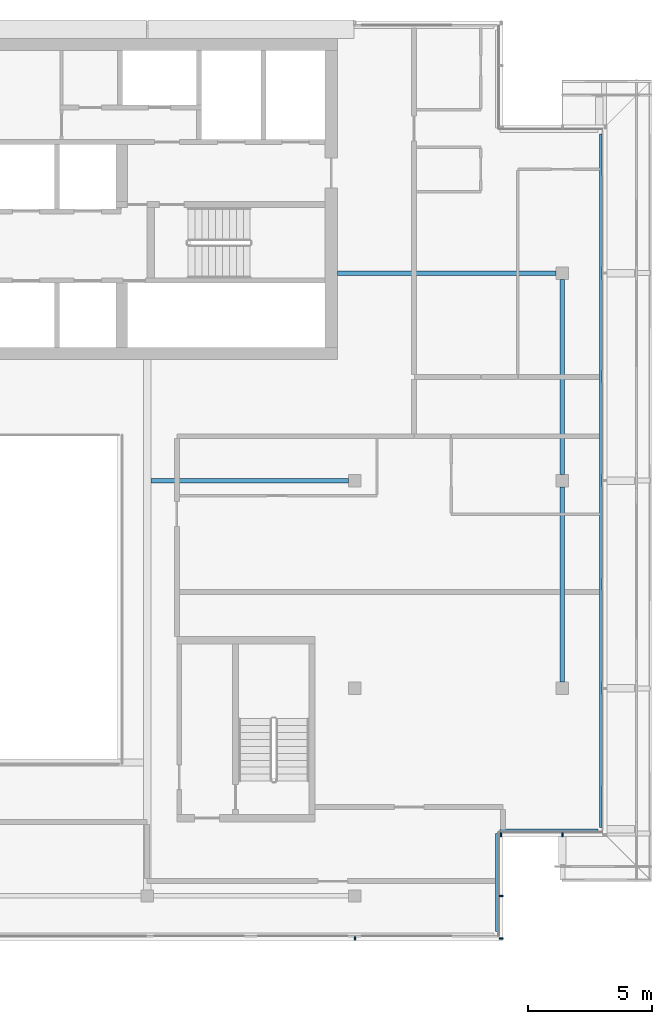
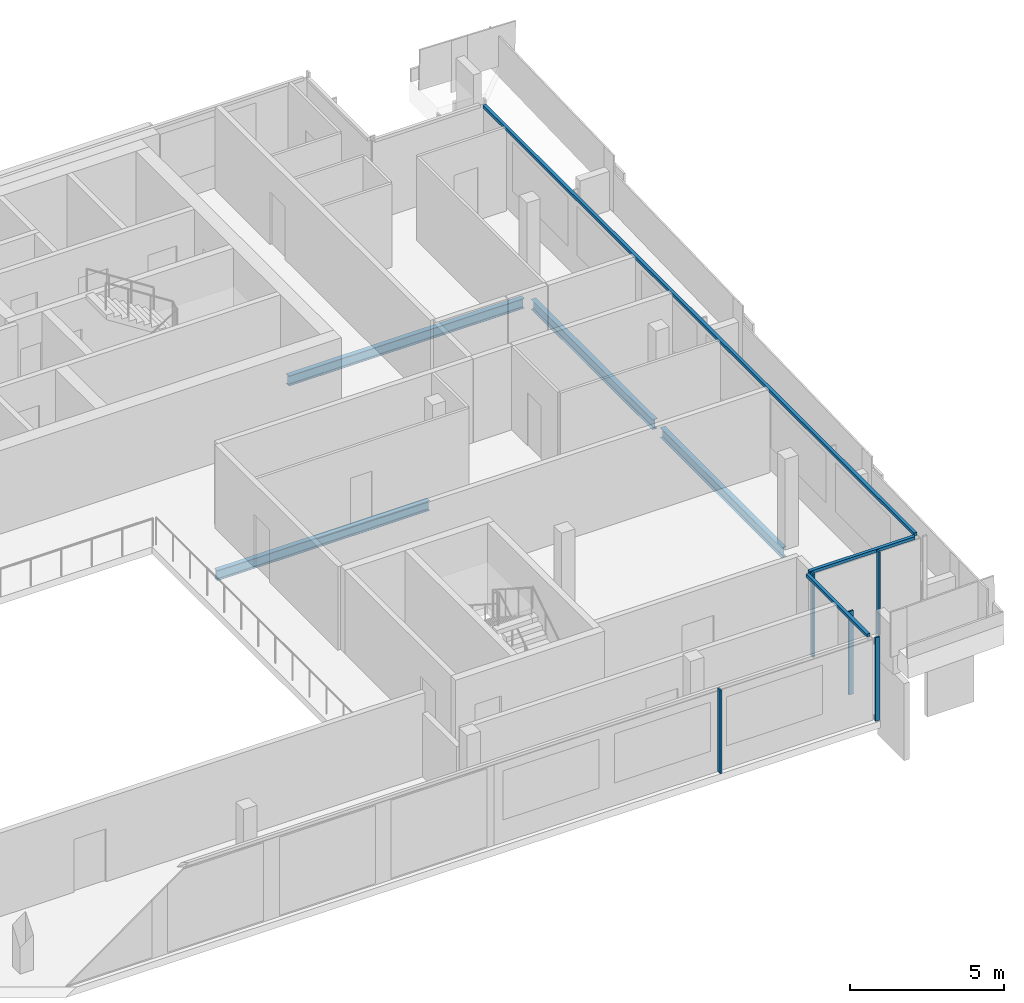
# One storey, part 5 of 19: 8 members, 4 beams, 4 elements without a shape of their own.
"""IFC4 building model written with IfcOpenShell, lengths in metres."""

import ifcopenshell
import ifcopenshell.guid

model = None  # the IFC model being written
_history = None  # IfcOwnerHistory: only IFC2X3 demands one
_inside = {}  # id of a spatial element -> (the spatial element, [elements in it])
_under = {}  # id of a project, library or spatial element -> (it, [spatial elements below it])
_declared = {}  # id of a project -> (the project, [libraries it declares])
_typed = {}  # id of a type object -> (the type object, [elements of that type])
_made_of = {}  # id of a material, layer set ... -> (it, [elements and type objects made of it])


def new_model(schema):
    """Start an empty IFC model of exactly this schema.

    Asked for "IFC4X3", IfcOpenShell would pick the latest addendum, in which some entities
    have other attributes; the version numbers below select the first issue.
    IFC2X3 requires an IfcOwnerHistory on every rooted entity: one is made here for all.
    """
    global model, _history
    if schema == "IFC4X3":
        model = ifcopenshell.file(schema_version=(4, 3, 0, 0))
    else:
        model = ifcopenshell.file(schema=schema)
    _inside.clear()
    _under.clear()
    _declared.clear()
    _typed.clear()
    _made_of.clear()
    _history = None
    if model.schema == "IFC2X3":
        org = make("IfcOrganization", Name="unknown")
        user = make(
            "IfcPersonAndOrganization",
            ThePerson=make("IfcPerson", FamilyName="unknown"),
            TheOrganization=org,
        )
        app = make(
            "IfcApplication",
            ApplicationDeveloper=org,
            Version="unknown",
            ApplicationFullName="unknown",
            ApplicationIdentifier="unknown",
        )
        _history = make(
            "IfcOwnerHistory",
            OwningUser=user,
            OwningApplication=app,
            ChangeAction="ADDED",
            CreationDate=0,
        )
    return model


def make(cls, **values):
    """One entity of the class cls with the attributes given. An attribute that is None is left unset."""
    return model.create_entity(
        cls, **{name: value for name, value in values.items() if value is not None}
    )


def rooted(cls, **values):
    """An entity with a GlobalId (a new one), such as an element, a storey or a relation."""
    return make(cls, GlobalId=ifcopenshell.guid.new(), OwnerHistory=_history, **values)


def si_unit(unit_type, name, prefix=None):
    """IfcSIUnit, for example si_unit("LENGTHUNIT", "METRE", prefix="MILLI")."""
    return make("IfcSIUnit", UnitType=unit_type, Prefix=prefix, Name=name)


def assignment(units):
    """IfcUnitAssignment: the units of a project."""
    return None if units is None else make("IfcUnitAssignment", Units=units)


def point(xyz):
    """IfcCartesianPoint."""
    return None if xyz is None else make("IfcCartesianPoint", Coordinates=xyz)


def direction(xyz):
    """IfcDirection."""
    return None if xyz is None else make("IfcDirection", DirectionRatios=xyz)


def frame(location, z_axis=None, x_axis=None):
    """IfcAxis2Placement3D, a coordinate frame: its origin and axes. An axis left out is left unset."""
    return make(
        "IfcAxis2Placement3D",
        Location=point(location),
        Axis=direction(z_axis),
        RefDirection=direction(x_axis),
    )


def frame_2d(location, x_axis=None):
    """IfcAxis2Placement2D, a coordinate frame in the plane: its origin and x axis."""
    return make(
        "IfcAxis2Placement2D", Location=point(location), RefDirection=direction(x_axis)
    )


def origin():
    """The frame at (0, 0, 0) with its axes left unset."""
    return frame((0.0, 0.0, 0.0))


def origin_2d():
    """The frame at (0, 0) in the plane with its x axis left unset."""
    return frame_2d((0.0, 0.0))


def place(relative_to, where):
    """IfcLocalPlacement: puts the frame where relative to a parent placement (None: the world)."""
    return make(
        "IfcLocalPlacement", PlacementRelTo=relative_to, RelativePlacement=where
    )


def context(
    kind, dimensions, precision=None, world=None, true_north=None, identifier=None
):
    """IfcGeometricRepresentationContext, for example the 3D "Model" context."""
    return make(
        "IfcGeometricRepresentationContext",
        ContextIdentifier=identifier,
        ContextType=kind,
        CoordinateSpaceDimension=dimensions,
        Precision=precision,
        WorldCoordinateSystem=world,
        TrueNorth=true_north,
    )


def subcontext(parent, identifier, kind, view, scale=None):
    """IfcGeometricRepresentationSubContext, for example "Body" below "Model"."""
    return make(
        "IfcGeometricRepresentationSubContext",
        ContextIdentifier=identifier,
        ContextType=kind,
        ParentContext=parent,
        TargetScale=scale,
        TargetView=view,
    )


def project(units=None, contexts=None):
    """IfcProject with its units and contexts."""
    return rooted(
        "IfcProject",
        Name="project",
        RepresentationContexts=contexts,
        UnitsInContext=assignment(units),
    )


def spatial(cls, under=None, at=None, **own):
    """A site, building, storey or space (cls), placed at a placement, below another one or the project."""
    s = rooted(cls, ObjectPlacement=at, **own)
    if under is not None:
        _under.setdefault(under.id(), (under, []))[1].append(s)
    return s


def profile(cls, at=None, kind="AREA", **sizes):
    """A parametric profile (cls). Its sizes go by their IFC names, for example OverallWidth=200.0."""
    return make(cls, ProfileType=kind, Position=at, **sizes)


def rectangle(**sizes):
    """IfcRectangleProfileDef."""
    return profile("IfcRectangleProfileDef", **sizes)


def i_section(**sizes):
    """IfcIShapeProfileDef."""
    return profile("IfcIShapeProfileDef", **sizes)


def extrude(swept, where, along, depth):
    """IfcExtrudedAreaSolid: the profile swept, set in the frame where, extruded along a direction by depth."""
    return make(
        "IfcExtrudedAreaSolid",
        SweptArea=swept,
        Position=where,
        ExtrudedDirection=direction(along),
        Depth=depth,
    )


def shape(context_of_items, identifier, shape_type, items):
    """IfcShapeRepresentation: the items that make up one representation, for example the "Body"."""
    return make(
        "IfcShapeRepresentation",
        ContextOfItems=context_of_items,
        RepresentationIdentifier=identifier,
        RepresentationType=shape_type,
        Items=items,
    )


def material(Name=None, Category=None):
    """IfcMaterial."""
    return make("IfcMaterial", Name=Name, Category=Category)


def material_profile(
    of_material, cross_section, Name=None, Category=None, Priority=None
):
    """IfcMaterialProfile: a cross section and its material."""
    return make(
        "IfcMaterialProfile",
        Name=Name,
        Material=of_material,
        Profile=cross_section,
        Priority=Priority,
        Category=Category,
    )


def profile_set(profiles, Name=None, composite=None):
    """IfcMaterialProfileSet."""
    return make(
        "IfcMaterialProfileSet",
        Name=Name,
        MaterialProfiles=profiles,
        CompositeProfile=composite,
    )


def made_of(thing, what):
    """Note that an element or type object is made of a material, layer set ...; save() writes the relation."""
    if what is not None:
        _made_of.setdefault(what.id(), (what, []))[1].append(thing)
    return thing


def type_object(cls, material=None, **own):
    """A type object (cls), such as IfcWallType, which elements share."""
    return made_of(rooted(cls, **own), material)


def element(
    cls,
    number,
    at=None,
    inside=None,
    cuts=None,
    type_object=None,
    material=None,
    context=None,
    identifier="Body",
    shape_type=None,
    held_by="IfcProductDefinitionShape",
    body=None,
    shapes=None,
    **own,
):
    """One element of the class cls, such as IfcWall. Its Tag is "e" and its number.

    at: its placement. inside: the storey or other place that contains it. cuts: it is an
    opening in that element (IfcRelVoidsElement). A single representation is given by context,
    identifier, shape_type and body (its items); several are given by shapes. held_by: the class
    of the entity that holds the representations. save() writes the other relations.
    """
    e = rooted(cls, Tag="e%d" % number, ObjectPlacement=at, **own)
    if body is not None:
        shapes = [shape(context, identifier, shape_type, body)]
    if shapes is not None:
        e.Representation = make(held_by, Representations=shapes)
    if inside is not None:
        _inside.setdefault(inside.id(), (inside, []))[1].append(e)
    if cuts is not None:
        rooted(
            "IfcRelVoidsElement", RelatingBuildingElement=cuts, RelatedOpeningElement=e
        )
    if type_object is not None:
        _typed.setdefault(type_object.id(), (type_object, []))[1].append(e)
    return made_of(e, material)


def aggregate(whole, parts):
    """IfcRelAggregates: a whole, such as a stair, and the parts it consists of."""
    return rooted("IfcRelAggregates", RelatingObject=whole, RelatedObjects=parts)


def save(model, path):
    """Write the relations noted so far, then the file.

    IfcRelAggregates (storeys below a building ...), IfcRelContainedInSpatialStructure (elements
    in a storey), IfcRelDefinesByType, IfcRelAssociatesMaterial and IfcRelDeclares: one each for
    every whole, place, type object, material and project.
    """
    for whole, parts in _under.values():
        aggregate(whole, parts)
    for where, things in _inside.values():
        rooted(
            "IfcRelContainedInSpatialStructure",
            RelatedElements=things,
            RelatingStructure=where,
        )
    for kind, things in _typed.values():
        rooted("IfcRelDefinesByType", RelatedObjects=things, RelatingType=kind)
    for what, things in _made_of.values():
        rooted("IfcRelAssociatesMaterial", RelatedObjects=things, RelatingMaterial=what)
    for by, libraries in _declared.values():
        rooted("IfcRelDeclares", RelatingContext=by, RelatedDefinitions=libraries)
    model.write(path)


model = new_model("IFC4")

# Units and contexts
model_context = context("Model", 3, precision=1e-05, world=origin(), true_north=direction((0.0, 1.0)))
body_context = subcontext(model_context, "Body", "Model", "MODEL_VIEW")
ifc_project = project(units=[si_unit("LENGTHUNIT", "METRE"), si_unit("AREAUNIT", "SQUARE_METRE"), si_unit("VOLUMEUNIT", "CUBIC_METRE"), si_unit("PLANEANGLEUNIT", "RADIAN"), si_unit("MASSUNIT", "GRAM", prefix="KILO")], contexts=[model_context])

# Site, building, storey
site_placement = place(None, origin())
site = spatial("IfcSite", under=ifc_project, at=site_placement, CompositionType="ELEMENT")
building_placement = place(site_placement, origin())
building = spatial("IfcBuilding", under=site, at=building_placement, Name="Saffron Gate Tower", CompositionType="ELEMENT")
storey_placement = place(building_placement, frame((0.0, 0.0, 292.35009765625)))
storey = spatial("IfcBuildingStorey", under=building, at=storey_placement, Name="L71", CompositionType="ELEMENT", Elevation=292.35009765625)

# Beams
ifc_material_1 = material(Name="Structural steel S355", Category="steel")
ifc_material_profile_1 = material_profile(ifc_material_1, i_section(OverallWidth=0.179931640625, OverallDepth=0.39990234375, WebThickness=0.008544921875, FlangeThickness=0.013427734375, FilletRadius=0.02099609375, at=origin_2d()))
ifc_profile_set_1 = profile_set([ifc_material_profile_1], Name="Structural steel S355")
beam_type_1 = type_object("IfcBeamType", Name="B4 IPE 400", PredefinedType="BEAM", material=ifc_profile_set_1)
beam_1_placement = place(storey_placement, frame((108.35009765625, 57.0, -0.47998046875), z_axis=(-1.0, 0.0, 0.0), x_axis=(0.0, -1.0, 0.0)))
element("IfcBeam", 1, at=beam_1_placement, inside=storey, type_object=beam_type_1, Name="B4 CORE TIE BEAM", PredefinedType="BEAM", context=body_context, shape_type="SweptSolid", body=[
    extrude(i_section(OverallWidth=0.179931640625, OverallDepth=0.39990234375, WebThickness=0.008544921875, FlangeThickness=0.013427734375, FilletRadius=0.02099609375, at=origin_2d()), origin(), (0.0, 0.0, 1.0), 8.0),
])
beam_2_placement = place(storey_placement, frame((116.75, 65.39990234375, -0.47998046875), z_axis=(-1.0, 0.0, 0.0), x_axis=(0.0, -1.0, 0.0)))
element("IfcBeam", 2, at=beam_2_placement, inside=storey, type_object=beam_type_1, Name="B4 CORE TIE BEAM", PredefinedType="BEAM", context=body_context, shape_type="SweptSolid", body=[
    extrude(i_section(OverallWidth=0.179931640625, OverallDepth=0.39990234375, WebThickness=0.008544921875, FlangeThickness=0.013427734375, FilletRadius=0.02099609375, at=origin_2d()), origin(), (0.0, 0.0, 1.0), 8.85009765625),
])
ifc_material_profile_2 = material_profile(ifc_material_1, i_section(OverallWidth=0.179931640625, OverallDepth=0.39990234375, WebThickness=0.008544921875, FlangeThickness=0.013427734375, FilletRadius=0.02099609375, at=origin_2d()))
ifc_profile_set_2 = profile_set([ifc_material_profile_2], Name="Structural steel S355")
beam_type_2 = type_object("IfcBeamType", Name="B5 IPE 400", PredefinedType="SPANDREL", material=ifc_profile_set_2)
for number, where, z_axis, x_axis, name in (
    (3, (117.0, 48.85009765625, -0.47998046875), (0.0, 1.0, 0.0), (-1.0, 0.0, 0.0), "B5 SPANDREL BEAM"),
    (4, (117.0, 57.25, -0.47998046875), (0.0, 1.0, 0.0), (-1.0, 0.0, 0.0), "B5 SPANDREL BEAM"),
):
    element("IfcBeam", number, at=place(storey_placement, frame(where, z_axis=z_axis, x_axis=x_axis)), inside=storey, type_object=beam_type_2, Name=name, PredefinedType="SPANDREL", context=body_context, shape_type="SweptSolid", body=[
        extrude(i_section(OverallWidth=0.179931640625, OverallDepth=0.39990234375, WebThickness=0.008544921875, FlangeThickness=0.013427734375, FilletRadius=0.02099609375, at=origin_2d()), origin(), (0.0, 0.0, 1.0), 7.89990234375),
    ])

# Curtain wall, member
ifc_material_2 = material(Name="Aluminium, bronze anodised", Category="aluminium")
curtain_wall_type_1 = type_object("IfcCurtainWallType", Name="CWS1 curtain wall front facade", PredefinedType="NOTDEFINED", material=ifc_material_2)
curtain_wall_1_placement = place(storey_placement, origin())
curtain_wall_1 = element("IfcCurtainWall", 5, at=curtain_wall_1_placement, inside=storey, type_object=curtain_wall_type_1, Name="CWS1 run 1", PredefinedType="NOTDEFINED")
ifc_material_profile_3 = material_profile(ifc_material_2, rectangle(XDim=0.159912109375, YDim=0.06005859375, at=origin_2d()))
ifc_profile_set_3 = profile_set([ifc_material_profile_3], Name="Aluminium, bronze anodised")
member_type_1 = type_object("IfcMemberType", Name="CWS1 mullion 60x160", PredefinedType="MULLION", material=ifc_profile_set_3)
member_1_placement = place(storey_placement, frame((108.60009765625, 38.47998046875, 0.0), z_axis=(0.0, 0.0, 1.0), x_axis=(0.0, 1.0, 0.0)))
member_1 = element("IfcMember", 6, at=member_1_placement, type_object=member_type_1, Name="CWS1 mullion 7", PredefinedType="MULLION", context=body_context, shape_type="SweptSolid", body=[
    extrude(rectangle(XDim=0.159912109375, YDim=0.06005859375, at=origin_2d()), origin(), (0.0, 0.0, 1.0), 3.31982421875),
])
aggregate(curtain_wall_1, [member_1])

curtain_wall_type_2 = type_object("IfcCurtainWallType", Name="CWS2 curtain wall side facades", PredefinedType="NOTDEFINED", material=ifc_material_2)
curtain_wall_2_placement = place(storey_placement, origin())
curtain_wall_2 = element("IfcCurtainWall", 7, at=curtain_wall_2_placement, inside=storey, type_object=curtain_wall_type_2, Name="CWS2 run 4", PredefinedType="NOTDEFINED")
ifc_material_profile_4 = material_profile(ifc_material_2, rectangle(XDim=0.1201171875, YDim=0.1201171875, at=origin_2d()))
ifc_profile_set_4 = profile_set([ifc_material_profile_4], Name="Aluminium, bronze anodised")
member_type_2 = type_object("IfcMemberType", Name="CWS2 head transom", PredefinedType="USERDEFINED", material=ifc_profile_set_4)
member_2_placement = place(storey_placement, frame((118.552001953125, 42.968017578125, 3.260009765625), z_axis=(0.0, 1.0, 0.0), x_axis=(-1.0, 0.0, 0.0)))
member_2 = element("IfcMember", 8, at=member_2_placement, type_object=member_type_2, Name="CWS2 head transom", ObjectType="TRANSOM", PredefinedType="USERDEFINED", context=body_context, shape_type="SweptSolid", body=[
    extrude(rectangle(XDim=0.1201171875, YDim=0.1201171875, at=origin_2d()), origin(), (0.0, 0.0, 1.0), 28.06396484375),
])
aggregate(curtain_wall_2, [member_2])

curtain_wall_type_3 = type_object("IfcCurtainWallType", Name="CWS4 curtain wall corner returns", PredefinedType="NOTDEFINED", material=ifc_material_2)
curtain_wall_3_placement = place(storey_placement, origin())
curtain_wall_3 = element("IfcCurtainWall", 9, at=curtain_wall_3_placement, inside=storey, type_object=curtain_wall_type_3, Name="CWS4 run 2", PredefinedType="NOTDEFINED")
ifc_material_profile_5 = material_profile(ifc_material_2, rectangle(XDim=0.1201171875, YDim=0.1201171875, at=origin_2d()))
ifc_profile_set_5 = profile_set([ifc_material_profile_5], Name="Aluminium, bronze anodised")
member_type_3 = type_object("IfcMemberType", Name="CWS4 head transom", PredefinedType="USERDEFINED", material=ifc_profile_set_5)
member_3_placement = place(storey_placement, frame((114.35205078125, 38.76806640625, 3.260009765625), z_axis=(0.0, 1.0, 0.0), x_axis=(-1.0, 0.0, 0.0)))
member_3 = element("IfcMember", 10, at=member_3_placement, type_object=member_type_3, Name="CWS4 head transom", ObjectType="TRANSOM", PredefinedType="USERDEFINED", context=body_context, shape_type="SweptSolid", body=[
    extrude(rectangle(XDim=0.1201171875, YDim=0.1201171875, at=origin_2d()), origin(), (0.0, 0.0, 1.0), 3.9599609375),
])

curtain_wall_4_placement = place(storey_placement, origin())
curtain_wall_4 = element("IfcCurtainWall", 11, at=curtain_wall_4_placement, inside=storey, type_object=curtain_wall_type_3, Name="CWS4 run 3", PredefinedType="NOTDEFINED")
member_4_placement = place(storey_placement, frame((114.471923828125, 42.847900390625, 3.260009765625), z_axis=(1.0, 0.0, 0.0), x_axis=(0.0, 1.0, 0.0)))
member_4 = element("IfcMember", 12, at=member_4_placement, type_object=member_type_3, Name="CWS4 head transom", ObjectType="TRANSOM", PredefinedType="USERDEFINED", context=body_context, shape_type="SweptSolid", body=[
    extrude(rectangle(XDim=0.1201171875, YDim=0.1201171875, at=origin_2d()), origin(), (0.0, 0.0, 1.0), 3.9599609375),
])

# Member
ifc_material_profile_6 = material_profile(ifc_material_2, rectangle(XDim=0.159912109375, YDim=0.06005859375, at=origin_2d()))
ifc_profile_set_6 = profile_set([ifc_material_profile_6], Name="Aluminium, bronze anodised")
member_type_4 = type_object("IfcMemberType", Name="CWS4 mullion 60x160", PredefinedType="MULLION", material=ifc_profile_set_6)
member_5_placement = place(storey_placement, frame((114.52001953125, 38.47998046875, 0.0), z_axis=(0.0, 0.0, 1.0), x_axis=(-1.0, 0.0, 0.0)))
member_5 = element("IfcMember", 13, at=member_5_placement, type_object=member_type_4, Name="CWS4 mullion 1", PredefinedType="MULLION", context=body_context, shape_type="SweptSolid", body=[
    extrude(rectangle(XDim=0.159912109375, YDim=0.06005859375, at=origin_2d()), origin(), (0.0, 0.0, 1.0), 3.31982421875),
])

member_6_placement = place(storey_placement, frame((114.52001953125, 40.199951171875, 0.0), z_axis=(0.0, 0.0, 1.0), x_axis=(-1.0, 0.0, 0.0)))
member_6 = element("IfcMember", 14, at=member_6_placement, type_object=member_type_4, Name="CWS4 mullion 2", PredefinedType="MULLION", context=body_context, shape_type="SweptSolid", body=[
    extrude(rectangle(XDim=0.159912109375, YDim=0.06005859375, at=origin_2d()), origin(), (0.0, 0.0, 1.0), 3.31982421875),
])

aggregate(curtain_wall_3, [member_5, member_6, member_3])

member_7_placement = place(storey_placement, frame((114.52001953125, 42.679931640625, 0.0), z_axis=(0.0, 0.0, 1.0), x_axis=(0.0, 1.0, 0.0)))
member_7 = element("IfcMember", 15, at=member_7_placement, type_object=member_type_4, Name="CWS4 mullion 1", PredefinedType="MULLION", context=body_context, shape_type="SweptSolid", body=[
    extrude(rectangle(XDim=0.159912109375, YDim=0.06005859375, at=origin_2d()), origin(), (0.0, 0.0, 1.0), 3.31982421875),
])

member_8_placement = place(storey_placement, frame((117.0, 42.679931640625, 0.0), z_axis=(0.0, 0.0, 1.0), x_axis=(0.0, 1.0, 0.0)))
member_8 = element("IfcMember", 16, at=member_8_placement, type_object=member_type_4, Name="CWS4 mullion 2", PredefinedType="MULLION", context=body_context, shape_type="SweptSolid", body=[
    extrude(rectangle(XDim=0.159912109375, YDim=0.06005859375, at=origin_2d()), origin(), (0.0, 0.0, 1.0), 3.31982421875),
])

aggregate(curtain_wall_4, [member_7, member_8, member_4])

save(model, "model.ifc")
